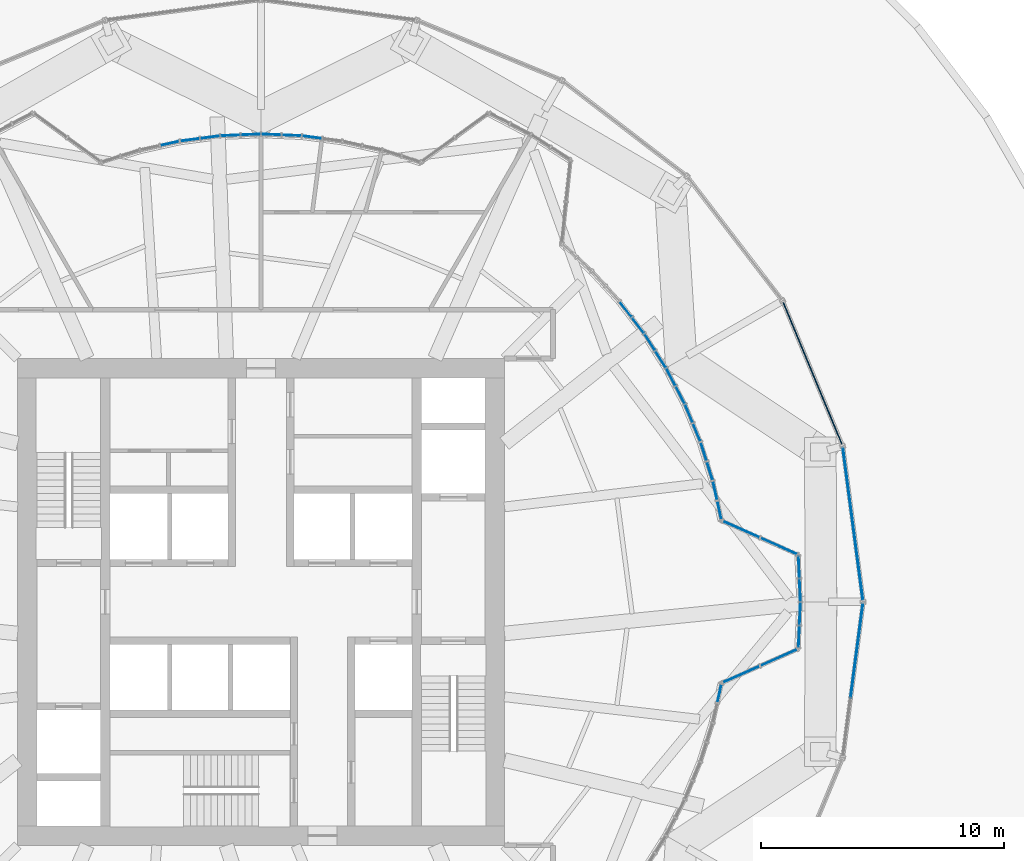
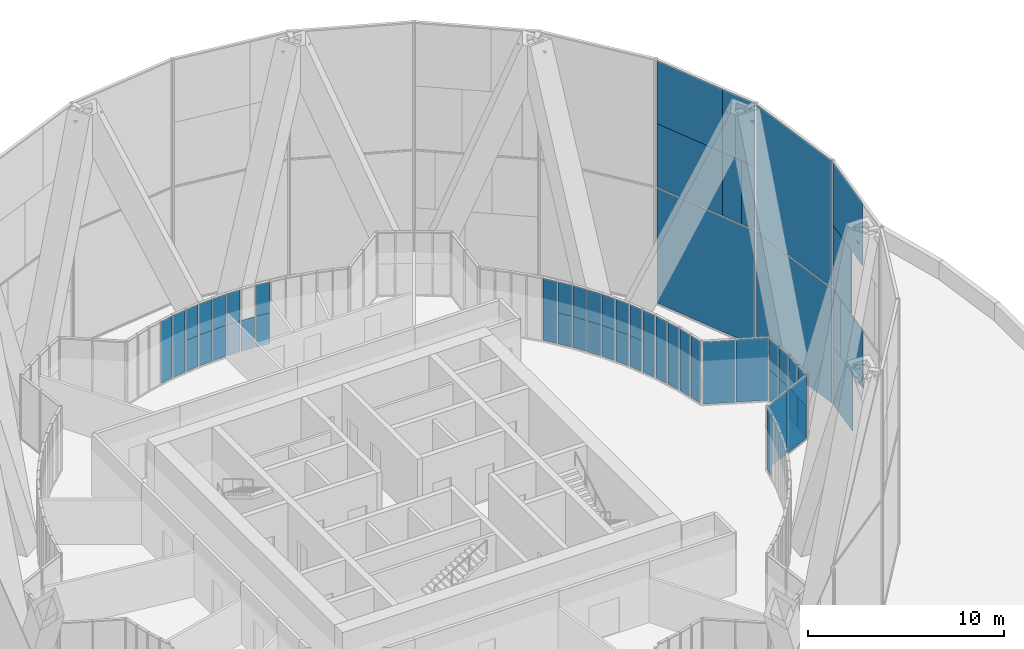
# One storey, part 21 of 27: 57 plates, 19 elements without a shape of their own.
"""IFC4 building model written with IfcOpenShell, lengths in metres."""

from ifc_helpers import new_model, si_unit, direction, frame, origin, origin_2d, place, context, subcontext, project, spatial, rectangle, extrude, material, layer, layer_set, type_object, element, aggregate, save


model = new_model("IFC4")

# Units and contexts
model_context = context("Model", 3, precision=1e-05, world=origin(), true_north=direction((0.0, 1.0)))
body_context = subcontext(model_context, "Body", "Model", "MODEL_VIEW")
ifc_project = project(units=[si_unit("LENGTHUNIT", "METRE"), si_unit("AREAUNIT", "SQUARE_METRE"), si_unit("VOLUMEUNIT", "CUBIC_METRE"), si_unit("PLANEANGLEUNIT", "RADIAN"), si_unit("MASSUNIT", "GRAM", prefix="KILO")], contexts=[model_context])

# Site, building, storey
site_placement = place(None, origin())
site = spatial("IfcSite", under=ifc_project, at=site_placement, CompositionType="ELEMENT")
building_placement = place(site_placement, origin())
building = spatial("IfcBuilding", under=site, at=building_placement, Name="Golbaran Civic Tower", CompositionType="ELEMENT")
storey_placement = place(building_placement, frame((0.0, 0.0, 21.0)))
storey = spatial("IfcBuildingStorey", under=building, at=storey_placement, Name="L04", CompositionType="ELEMENT", Elevation=21.0)

# Curtain wall, plates
ifc_material_1 = material(Name="Aluminium and glass", Category="aluminium")
curtain_wall_type_1 = type_object("IfcCurtainWallType", Name="INNER SKIN CURTAIN WALL", PredefinedType="NOTDEFINED", material=ifc_material_1)
curtain_wall_1_placement = place(storey_placement, origin())
curtain_wall_1 = element("IfcCurtainWall", 1, at=curtain_wall_1_placement, inside=storey, type_object=curtain_wall_type_1, Name="Inner skin L04 facet 2 CW1", ObjectType="INNER SKIN", PredefinedType="USERDEFINED")
ifc_material_2 = material(Name="Clear insulating glass", Category="glass")
ifc_layer_1 = layer(ifc_material_2, 0.031982421875, Name="Clear insulating glass")
ifc_layer_set_1 = layer_set([ifc_layer_1], Name="Clear insulating glass")
plate_type_1 = type_object("IfcPlateType", Name="INNER SKIN CURTAIN WALL GLAZED PANEL", PredefinedType="CURTAIN_PANEL", material=ifc_layer_set_1)
plate_1_placement = place(storey_placement, frame((21.272705078125, 2.289306640625, 0.06494140625), z_axis=(0.0, 0.0, 1.0), x_axis=(-0.91336737885, 0.407136379182, 0.0)))
plate_1 = element("IfcPlate", 2, at=plate_1_placement, type_object=plate_type_1, Name="CW1 panel 1.1", PredefinedType="CURTAIN_PANEL", context=body_context, shape_type="SweptSolid", body=[
    extrude(rectangle(XDim=1.62841796875, YDim=0.031982421875, at=origin_2d()), origin(), (0.0, 0.0, 1.0), 3.8701171875),
])
plate_2_placement = place(storey_placement, frame((19.72607421875, 2.978759765625, 0.06494140625), z_axis=(0.0, 0.0, 1.0), x_axis=(-0.91336737885, 0.407136379182, 0.0)))
plate_2 = element("IfcPlate", 3, at=plate_2_placement, type_object=plate_type_1, Name="CW1 panel 2.1", PredefinedType="CURTAIN_PANEL", context=body_context, shape_type="SweptSolid", body=[
    extrude(rectangle(XDim=1.62841796875, YDim=0.031982421875, at=origin_2d()), origin(), (0.0, 0.0, 1.0), 3.8701171875),
])
aggregate(curtain_wall_1, [plate_1, plate_2])

curtain_wall_2_placement = place(storey_placement, origin())
curtain_wall_2 = element("IfcCurtainWall", 4, at=curtain_wall_2_placement, inside=storey, type_object=curtain_wall_type_1, Name="Inner skin L04 facet 3 CW1", ObjectType="INNER SKIN", PredefinedType="USERDEFINED")
plate_3_placement = place(storey_placement, frame((18.828857421875, 3.76171875, 0.06494140625), z_axis=(0.0, 0.0, 1.0), x_axis=(-0.216439613921, 0.976296007124, 0.0)))
plate_3 = element("IfcPlate", 5, at=plate_3_placement, type_object=plate_type_1, Name="CW1 panel 1.1", PredefinedType="CURTAIN_PANEL", context=body_context, shape_type="SweptSolid", body=[
    extrude(rectangle(XDim=0.74072265625, YDim=0.031982421875, at=origin_2d()), origin(), (0.0, 0.0, 1.0), 3.8701171875),
])
plate_4_placement = place(storey_placement, frame((18.65087890625, 4.56396484375, 0.06494140625), z_axis=(0.0, 0.0, 1.0), x_axis=(-0.216439613921, 0.976296007124, 0.0)))
plate_4 = element("IfcPlate", 6, at=plate_4_placement, type_object=plate_type_1, Name="CW1 panel 2.1", PredefinedType="CURTAIN_PANEL", context=body_context, shape_type="SweptSolid", body=[
    extrude(rectangle(XDim=0.773193359375, YDim=0.031982421875, at=origin_2d()), origin(), (0.0, 0.0, 1.0), 3.8701171875),
])
aggregate(curtain_wall_2, [plate_3, plate_4])

curtain_wall_3_placement = place(storey_placement, origin())
curtain_wall_3 = element("IfcCurtainWall", 7, at=curtain_wall_3_placement, inside=storey, type_object=curtain_wall_type_1, Name="Inner skin L04 facet 4 CW1", ObjectType="INNER SKIN", PredefinedType="USERDEFINED")
plate_5_placement = place(storey_placement, frame((18.434326171875, 5.372802734375, 0.06494140625), z_axis=(0.0, 0.0, 1.0), x_axis=(-0.300705799704, 0.953716950685, 0.0)))
plate_5 = element("IfcPlate", 8, at=plate_5_placement, type_object=plate_type_1, Name="CW1 panel 1.1", PredefinedType="CURTAIN_PANEL", context=body_context, shape_type="SweptSolid", body=[
    extrude(rectangle(XDim=0.773193359375, YDim=0.031982421875, at=origin_2d()), origin(), (0.0, 0.0, 1.0), 3.8701171875),
])
plate_6_placement = place(storey_placement, frame((18.18212890625, 6.172119140625, 0.06494140625), z_axis=(0.0, 0.0, 1.0), x_axis=(-0.300705799704, 0.953716950685, 0.0)))
plate_6 = element("IfcPlate", 9, at=plate_6_placement, type_object=plate_type_1, Name="CW1 panel 2.1", PredefinedType="CURTAIN_PANEL", context=body_context, shape_type="SweptSolid", body=[
    extrude(rectangle(XDim=0.773193359375, YDim=0.031982421875, at=origin_2d()), origin(), (0.0, 0.0, 1.0), 3.8701171875),
])
aggregate(curtain_wall_3, [plate_5, plate_6])

# Curtain wall, plate
curtain_wall_4_placement = place(storey_placement, origin())
curtain_wall_4 = element("IfcCurtainWall", 10, at=curtain_wall_4_placement, inside=storey, type_object=curtain_wall_type_1, Name="Inner skin L04 facet 5 CW1", ObjectType="INNER SKIN", PredefinedType="USERDEFINED")
plate_7_placement = place(storey_placement, frame((17.895751953125, 6.958984375, 0.06494140625), z_axis=(0.0, 0.0, 1.0), x_axis=(-0.382683432188, 0.923879532585, 0.0)))
plate_7 = element("IfcPlate", 11, at=plate_7_placement, type_object=plate_type_1, Name="CW1 panel 1.1", PredefinedType="CURTAIN_PANEL", context=body_context, shape_type="SweptSolid", body=[
    extrude(rectangle(XDim=0.773193359375, YDim=0.031982421875, at=origin_2d()), origin(), (0.0, 0.0, 1.0), 3.8701171875),
])

curtain_wall_5_placement = place(storey_placement, origin())
curtain_wall_5 = element("IfcCurtainWall", 12, at=curtain_wall_5_placement, inside=storey, type_object=curtain_wall_type_1, Name="Inner skin L04 facet 8 CW1", ObjectType="INNER SKIN", PredefinedType="USERDEFINED")
plate_8_placement = place(storey_placement, frame((14.974609375, 12.018798828125, 0.06494140625), z_axis=(0.0, 0.0, 1.0), x_axis=(-0.608761428718, 0.793353340514, 0.0)))
plate_8 = element("IfcPlate", 13, at=plate_8_placement, type_object=plate_type_1, Name="CW1 panel 2.1", PredefinedType="CURTAIN_PANEL", context=body_context, shape_type="SweptSolid", body=[
    extrude(rectangle(XDim=0.773193359375, YDim=0.031982421875, at=origin_2d()), origin(), (0.0, 0.0, 1.0), 3.8701171875),
])

curtain_wall_6_placement = place(storey_placement, origin())
curtain_wall_6 = element("IfcCurtainWall", 14, at=curtain_wall_6_placement, inside=storey, type_object=curtain_wall_type_1, Name="Inner skin L04 facet 20 CW1", ObjectType="INNER SKIN", PredefinedType="USERDEFINED")
plate_9_placement = place(storey_placement, frame((-2.921142578125, 18.977783203125, 0.06494140625), z_axis=(0.0, 0.0, 1.0), x_axis=(-0.991444861351, -0.130526192393, 0.0)))
plate_9 = element("IfcPlate", 15, at=plate_9_placement, type_object=plate_type_1, Name="CW1 panel 2.1", PredefinedType="CURTAIN_PANEL", context=body_context, shape_type="SweptSolid", body=[
    extrude(rectangle(XDim=0.773193359375, YDim=0.031982421875, at=origin_2d()), origin(), (0.0, 0.0, 1.0), 3.8701171875),
])

curtain_wall_7_placement = place(storey_placement, origin())
curtain_wall_7 = element("IfcCurtainWall", 16, at=curtain_wall_7_placement, inside=storey, type_object=curtain_wall_type_1, Name="Inner skin L04 facet 21 CW1", ObjectType="INNER SKIN", PredefinedType="USERDEFINED")
plate_10_placement = place(storey_placement, frame((-3.745849609375, 18.832275390625, 0.06494140625), z_axis=(0.0, 0.0, 1.0), x_axis=(-0.976296007124, -0.216439613921, 0.0)))
plate_10 = element("IfcPlate", 17, at=plate_10_placement, type_object=plate_type_1, Name="CW1 panel 1.1", PredefinedType="CURTAIN_PANEL", context=body_context, shape_type="SweptSolid", body=[
    extrude(rectangle(XDim=0.773193359375, YDim=0.031982421875, at=origin_2d()), origin(), (0.0, 0.0, 1.0), 3.8701171875),
])
aggregate(curtain_wall_7, [plate_10])

curtain_wall_8_placement = place(storey_placement, origin())
curtain_wall_8 = element("IfcCurtainWall", 18, at=curtain_wall_8_placement, inside=storey, type_object=curtain_wall_type_1, Name="Inner skin L04 facet 70 CW1", ObjectType="INNER SKIN", PredefinedType="USERDEFINED")
plate_11_placement = place(storey_placement, frame((18.828857421875, -3.76171875, 0.06494140625), z_axis=(0.0, 0.0, 1.0), x_axis=(0.216439613921, 0.976296007124, 0.0)))
plate_11 = element("IfcPlate", 19, at=plate_11_placement, type_object=plate_type_1, Name="CW1 panel 2.1", PredefinedType="CURTAIN_PANEL", context=body_context, shape_type="SweptSolid", body=[
    extrude(rectangle(XDim=0.74072265625, YDim=0.031982421875, at=origin_2d()), origin(), (0.0, 0.0, 1.0), 3.8701171875),
])
aggregate(curtain_wall_8, [plate_11])

# Curtain wall, plates
curtain_wall_9_placement = place(storey_placement, origin())
curtain_wall_9 = element("IfcCurtainWall", 20, at=curtain_wall_9_placement, inside=storey, type_object=curtain_wall_type_1, Name="Inner skin L04 facet 71 CW1", ObjectType="INNER SKIN", PredefinedType="USERDEFINED")
plate_12_placement = place(storey_placement, frame((19.72607421875, -2.978759765625, 0.06494140625), z_axis=(0.0, 0.0, 1.0), x_axis=(0.91336737885, 0.407136379182, 0.0)))
plate_12 = element("IfcPlate", 21, at=plate_12_placement, type_object=plate_type_1, Name="CW1 panel 1.1", PredefinedType="CURTAIN_PANEL", context=body_context, shape_type="SweptSolid", body=[
    extrude(rectangle(XDim=1.62841796875, YDim=0.031982421875, at=origin_2d()), origin(), (0.0, 0.0, 1.0), 3.8701171875),
])
plate_13_placement = place(storey_placement, frame((21.272705078125, -2.289306640625, 0.06494140625), z_axis=(0.0, 0.0, 1.0), x_axis=(0.91336737885, 0.407136379182, 0.0)))
plate_13 = element("IfcPlate", 22, at=plate_13_placement, type_object=plate_type_1, Name="CW1 panel 2.1", PredefinedType="CURTAIN_PANEL", context=body_context, shape_type="SweptSolid", body=[
    extrude(rectangle(XDim=1.62841796875, YDim=0.031982421875, at=origin_2d()), origin(), (0.0, 0.0, 1.0), 3.8701171875),
])
aggregate(curtain_wall_9, [plate_12, plate_13])

curtain_wall_10_placement = place(storey_placement, origin())
curtain_wall_10 = element("IfcCurtainWall", 23, at=curtain_wall_10_placement, inside=storey, type_object=curtain_wall_type_1, Name="Inner skin L04 facet 1 CW1", ObjectType="INNER SKIN", PredefinedType="USERDEFINED")
ifc_material_3 = material(Name="Aluminium faced opaque infill panel", Category="aluminium")
ifc_layer_2 = layer(ifc_material_3, 0.031982421875, Name="Aluminium faced opaque infill panel")
ifc_layer_set_2 = layer_set([ifc_layer_2], Name="Aluminium faced opaque infill panel")
plate_type_2 = type_object("IfcPlateType", Name="INNER SKIN CURTAIN WALL OPAQUE INFILL PANEL", PredefinedType="CURTAIN_PANEL", material=ifc_layer_set_2)
plate_14_placement = place(storey_placement, frame((22.138916015625, 0.48291015625, 0.06494140625), z_axis=(0.0, 0.0, 1.0), x_axis=(-0.043619387226, 0.999048221588, 0.0)))
plate_14 = element("IfcPlate", 24, at=plate_14_placement, type_object=plate_type_2, Name="CW1 infill panel 1.1 part 1", PredefinedType="CURTAIN_PANEL", context=body_context, shape_type="SweptSolid", body=[
    extrude(rectangle(XDim=0.901611328125, YDim=0.031982421875, at=origin_2d()), origin(), (0.0, 0.0, 1.0), 1.93505859375),
])
plate_15_placement = place(storey_placement, frame((22.138916015625, 0.48291015625, 2.0), z_axis=(0.0, 0.0, 1.0), x_axis=(-0.043619387226, 0.999048221588, 0.0)))
plate_15 = element("IfcPlate", 25, at=plate_15_placement, type_object=plate_type_2, Name="CW1 infill panel 1.1 part 2", PredefinedType="CURTAIN_PANEL", context=body_context, shape_type="SweptSolid", body=[
    extrude(rectangle(XDim=0.901611328125, YDim=0.031982421875, at=origin_2d()), origin(), (0.0, 0.0, 1.0), 1.93505859375),
])
plate_16_placement = place(storey_placement, frame((22.097412109375, 1.432373046875, 0.06494140625), z_axis=(0.0, 0.0, 1.0), x_axis=(-0.043619387226, 0.999048221588, 0.0)))
plate_16 = element("IfcPlate", 26, at=plate_16_placement, type_object=plate_type_2, Name="CW1 infill panel 2.1 part 1", PredefinedType="CURTAIN_PANEL", context=body_context, shape_type="SweptSolid", body=[
    extrude(rectangle(XDim=0.869140625, YDim=0.031982421875, at=origin_2d()), origin(), (0.0, 0.0, 1.0), 1.93505859375),
])
plate_17_placement = place(storey_placement, frame((22.097412109375, 1.432373046875, 2.0), z_axis=(0.0, 0.0, 1.0), x_axis=(-0.043619387226, 0.999048221588, 0.0)))
plate_17 = element("IfcPlate", 27, at=plate_17_placement, type_object=plate_type_2, Name="CW1 infill panel 2.1 part 2", PredefinedType="CURTAIN_PANEL", context=body_context, shape_type="SweptSolid", body=[
    extrude(rectangle(XDim=0.869140625, YDim=0.031982421875, at=origin_2d()), origin(), (0.0, 0.0, 1.0), 1.93505859375),
])
aggregate(curtain_wall_10, [plate_14, plate_15, plate_16, plate_17])

# Plate
plate_18_placement = place(storey_placement, frame((17.5751953125, 7.7333984375, 0.06494140625), z_axis=(0.0, 0.0, 1.0), x_axis=(-0.382683432188, 0.923879532585, 0.0)))
plate_18 = element("IfcPlate", 28, at=plate_18_placement, type_object=plate_type_2, Name="CW1 infill panel 2.1 part 1", PredefinedType="CURTAIN_PANEL", context=body_context, shape_type="SweptSolid", body=[
    extrude(rectangle(XDim=0.773193359375, YDim=0.031982421875, at=origin_2d()), origin(), (0.0, 0.0, 1.0), 1.93505859375),
])

plate_19_placement = place(storey_placement, frame((17.5751953125, 7.7333984375, 2.0), z_axis=(0.0, 0.0, 1.0), x_axis=(-0.382683432188, 0.923879532585, 0.0)))
plate_19 = element("IfcPlate", 29, at=plate_19_placement, type_object=plate_type_2, Name="CW1 infill panel 2.1 part 2", PredefinedType="CURTAIN_PANEL", context=body_context, shape_type="SweptSolid", body=[
    extrude(rectangle(XDim=0.773193359375, YDim=0.031982421875, at=origin_2d()), origin(), (0.0, 0.0, 1.0), 1.93505859375),
])

aggregate(curtain_wall_4, [plate_7, plate_18, plate_19])

# Curtain wall, plates
curtain_wall_11_placement = place(storey_placement, origin())
curtain_wall_11 = element("IfcCurtainWall", 30, at=curtain_wall_11_placement, inside=storey, type_object=curtain_wall_type_1, Name="Inner skin L04 facet 6 CW1", ObjectType="INNER SKIN", PredefinedType="USERDEFINED")
plate_20_placement = place(storey_placement, frame((17.22119140625, 8.492431640625, 0.06494140625), z_axis=(0.0, 0.0, 1.0), x_axis=(-0.461748613065, 0.887010833267, 0.0)))
plate_20 = element("IfcPlate", 31, at=plate_20_placement, type_object=plate_type_2, Name="CW1 infill panel 1.1 part 1", PredefinedType="CURTAIN_PANEL", context=body_context, shape_type="SweptSolid", body=[
    extrude(rectangle(XDim=0.773193359375, YDim=0.031982421875, at=origin_2d()), origin(), (0.0, 0.0, 1.0), 1.93505859375),
])
plate_21_placement = place(storey_placement, frame((17.22119140625, 8.492431640625, 2.0), z_axis=(0.0, 0.0, 1.0), x_axis=(-0.461748613065, 0.887010833267, 0.0)))
plate_21 = element("IfcPlate", 32, at=plate_21_placement, type_object=plate_type_2, Name="CW1 infill panel 1.1 part 2", PredefinedType="CURTAIN_PANEL", context=body_context, shape_type="SweptSolid", body=[
    extrude(rectangle(XDim=0.773193359375, YDim=0.031982421875, at=origin_2d()), origin(), (0.0, 0.0, 1.0), 1.93505859375),
])
plate_22_placement = place(storey_placement, frame((16.834228515625, 9.23583984375, 0.06494140625), z_axis=(0.0, 0.0, 1.0), x_axis=(-0.461748613065, 0.887010833267, 0.0)))
plate_22 = element("IfcPlate", 33, at=plate_22_placement, type_object=plate_type_2, Name="CW1 infill panel 2.1 part 1", PredefinedType="CURTAIN_PANEL", context=body_context, shape_type="SweptSolid", body=[
    extrude(rectangle(XDim=0.773193359375, YDim=0.031982421875, at=origin_2d()), origin(), (0.0, 0.0, 1.0), 1.93505859375),
])
plate_23_placement = place(storey_placement, frame((16.834228515625, 9.23583984375, 2.0), z_axis=(0.0, 0.0, 1.0), x_axis=(-0.461748613065, 0.887010833267, 0.0)))
plate_23 = element("IfcPlate", 34, at=plate_23_placement, type_object=plate_type_2, Name="CW1 infill panel 2.1 part 2", PredefinedType="CURTAIN_PANEL", context=body_context, shape_type="SweptSolid", body=[
    extrude(rectangle(XDim=0.773193359375, YDim=0.031982421875, at=origin_2d()), origin(), (0.0, 0.0, 1.0), 1.93505859375),
])
aggregate(curtain_wall_11, [plate_20, plate_21, plate_22, plate_23])

curtain_wall_12_placement = place(storey_placement, origin())
curtain_wall_12 = element("IfcCurtainWall", 35, at=curtain_wall_12_placement, inside=storey, type_object=curtain_wall_type_1, Name="Inner skin L04 facet 7 CW1", ObjectType="INNER SKIN", PredefinedType="USERDEFINED")
plate_24_placement = place(storey_placement, frame((16.41552734375, 9.9609375, 0.06494140625), z_axis=(0.0, 0.0, 1.0), x_axis=(-0.537299608597, 0.843391445653, 0.0)))
plate_24 = element("IfcPlate", 36, at=plate_24_placement, type_object=plate_type_2, Name="CW1 infill panel 1.1 part 1", PredefinedType="CURTAIN_PANEL", context=body_context, shape_type="SweptSolid", body=[
    extrude(rectangle(XDim=0.773193359375, YDim=0.031982421875, at=origin_2d()), origin(), (0.0, 0.0, 1.0), 1.93505859375),
])
plate_25_placement = place(storey_placement, frame((16.41552734375, 9.9609375, 2.0), z_axis=(0.0, 0.0, 1.0), x_axis=(-0.537299608597, 0.843391445653, 0.0)))
plate_25 = element("IfcPlate", 37, at=plate_25_placement, type_object=plate_type_2, Name="CW1 infill panel 1.1 part 2", PredefinedType="CURTAIN_PANEL", context=body_context, shape_type="SweptSolid", body=[
    extrude(rectangle(XDim=0.773193359375, YDim=0.031982421875, at=origin_2d()), origin(), (0.0, 0.0, 1.0), 1.93505859375),
])
plate_26_placement = place(storey_placement, frame((15.965087890625, 10.667724609375, 0.06494140625), z_axis=(0.0, 0.0, 1.0), x_axis=(-0.537299608597, 0.843391445653, 0.0)))
plate_26 = element("IfcPlate", 38, at=plate_26_placement, type_object=plate_type_2, Name="CW1 infill panel 2.1 part 1", PredefinedType="CURTAIN_PANEL", context=body_context, shape_type="SweptSolid", body=[
    extrude(rectangle(XDim=0.773193359375, YDim=0.031982421875, at=origin_2d()), origin(), (0.0, 0.0, 1.0), 1.93505859375),
])
plate_27_placement = place(storey_placement, frame((15.965087890625, 10.667724609375, 2.0), z_axis=(0.0, 0.0, 1.0), x_axis=(-0.537299608597, 0.843391445653, 0.0)))
plate_27 = element("IfcPlate", 39, at=plate_27_placement, type_object=plate_type_2, Name="CW1 infill panel 2.1 part 2", PredefinedType="CURTAIN_PANEL", context=body_context, shape_type="SweptSolid", body=[
    extrude(rectangle(XDim=0.773193359375, YDim=0.031982421875, at=origin_2d()), origin(), (0.0, 0.0, 1.0), 1.93505859375),
])
aggregate(curtain_wall_12, [plate_24, plate_25, plate_26, plate_27])

# Plate
plate_28_placement = place(storey_placement, frame((15.48486328125, 11.353759765625, 0.06494140625), z_axis=(0.0, 0.0, 1.0), x_axis=(-0.608761428718, 0.793353340514, 0.0)))
plate_28 = element("IfcPlate", 40, at=plate_28_placement, type_object=plate_type_2, Name="CW1 infill panel 1.1 part 1", PredefinedType="CURTAIN_PANEL", context=body_context, shape_type="SweptSolid", body=[
    extrude(rectangle(XDim=0.773193359375, YDim=0.031982421875, at=origin_2d()), origin(), (0.0, 0.0, 1.0), 1.93505859375),
])

plate_29_placement = place(storey_placement, frame((15.48486328125, 11.353759765625, 2.0), z_axis=(0.0, 0.0, 1.0), x_axis=(-0.608761428718, 0.793353340514, 0.0)))
plate_29 = element("IfcPlate", 41, at=plate_29_placement, type_object=plate_type_2, Name="CW1 infill panel 1.1 part 2", PredefinedType="CURTAIN_PANEL", context=body_context, shape_type="SweptSolid", body=[
    extrude(rectangle(XDim=0.773193359375, YDim=0.031982421875, at=origin_2d()), origin(), (0.0, 0.0, 1.0), 1.93505859375),
])

aggregate(curtain_wall_5, [plate_28, plate_29, plate_8])

# Curtain wall, plates
curtain_wall_13_placement = place(storey_placement, origin())
curtain_wall_13 = element("IfcCurtainWall", 42, at=curtain_wall_13_placement, inside=storey, type_object=curtain_wall_type_1, Name="Inner skin L04 facet 17 CW1", ObjectType="INNER SKIN", PredefinedType="USERDEFINED")
plate_30_placement = place(storey_placement, frame((2.090087890625, 19.087158203125, 0.06494140625), z_axis=(0.0, 0.0, 1.0), x_axis=(-0.991444861351, 0.130526192393, 0.0)))
plate_30 = element("IfcPlate", 43, at=plate_30_placement, type_object=plate_type_2, Name="CW1 infill panel 2.1 part 1", PredefinedType="CURTAIN_PANEL", context=body_context, shape_type="SweptSolid", body=[
    extrude(rectangle(XDim=0.773193359375, YDim=0.031982421875, at=origin_2d()), origin(), (0.0, 0.0, 1.0), 1.93505859375),
])
plate_31_placement = place(storey_placement, frame((2.090087890625, 19.087158203125, 2.0), z_axis=(0.0, 0.0, 1.0), x_axis=(-0.991444861351, 0.130526192393, 0.0)))
plate_31 = element("IfcPlate", 44, at=plate_31_placement, type_object=plate_type_2, Name="CW1 infill panel 2.1 part 2", PredefinedType="CURTAIN_PANEL", context=body_context, shape_type="SweptSolid", body=[
    extrude(rectangle(XDim=0.773193359375, YDim=0.031982421875, at=origin_2d()), origin(), (0.0, 0.0, 1.0), 1.93505859375),
])
aggregate(curtain_wall_13, [plate_30, plate_31])

curtain_wall_14_placement = place(storey_placement, origin())
curtain_wall_14 = element("IfcCurtainWall", 45, at=curtain_wall_14_placement, inside=storey, type_object=curtain_wall_type_1, Name="Inner skin L04 facet 18 CW1", ObjectType="INNER SKIN", PredefinedType="USERDEFINED")
plate_32_placement = place(storey_placement, frame((1.256103515625, 19.16015625, 0.06494140625), z_axis=(0.0, 0.0, 1.0), x_axis=(-0.999048221586, 0.043619387261, 0.0)))
plate_32 = element("IfcPlate", 46, at=plate_32_placement, type_object=plate_type_2, Name="CW1 infill panel 1.1 part 1", PredefinedType="CURTAIN_PANEL", context=body_context, shape_type="SweptSolid", body=[
    extrude(rectangle(XDim=0.773193359375, YDim=0.031982421875, at=origin_2d()), origin(), (0.0, 0.0, 1.0), 1.93505859375),
])
plate_33_placement = place(storey_placement, frame((0.418701171875, 19.19677734375, 0.06494140625), z_axis=(0.0, 0.0, 1.0), x_axis=(-0.999048221586, 0.043619387261, 0.0)))
plate_33 = element("IfcPlate", 47, at=plate_33_placement, type_object=plate_type_2, Name="CW1 infill panel 2.1 part 1", PredefinedType="CURTAIN_PANEL", context=body_context, shape_type="SweptSolid", body=[
    extrude(rectangle(XDim=0.773193359375, YDim=0.031982421875, at=origin_2d()), origin(), (0.0, 0.0, 1.0), 1.93505859375),
])
plate_34_placement = place(storey_placement, frame((0.418701171875, 19.19677734375, 2.0), z_axis=(0.0, 0.0, 1.0), x_axis=(-0.999048221586, 0.043619387261, 0.0)))
plate_34 = element("IfcPlate", 48, at=plate_34_placement, type_object=plate_type_2, Name="CW1 infill panel 2.1 part 2", PredefinedType="CURTAIN_PANEL", context=body_context, shape_type="SweptSolid", body=[
    extrude(rectangle(XDim=0.773193359375, YDim=0.031982421875, at=origin_2d()), origin(), (0.0, 0.0, 1.0), 1.93505859375),
])
aggregate(curtain_wall_14, [plate_32, plate_33, plate_34])

curtain_wall_15_placement = place(storey_placement, origin())
curtain_wall_15 = element("IfcCurtainWall", 49, at=curtain_wall_15_placement, inside=storey, type_object=curtain_wall_type_1, Name="Inner skin L04 facet 19 CW1", ObjectType="INNER SKIN", PredefinedType="USERDEFINED")
plate_35_placement = place(storey_placement, frame((-0.418701171875, 19.19677734375, 0.06494140625), z_axis=(0.0, 0.0, 1.0), x_axis=(-0.999048221586, -0.043619387261, 0.0)))
plate_35 = element("IfcPlate", 50, at=plate_35_placement, type_object=plate_type_2, Name="CW1 infill panel 1.1 part 1", PredefinedType="CURTAIN_PANEL", context=body_context, shape_type="SweptSolid", body=[
    extrude(rectangle(XDim=0.773193359375, YDim=0.031982421875, at=origin_2d()), origin(), (0.0, 0.0, 1.0), 1.93505859375),
])
plate_36_placement = place(storey_placement, frame((-0.418701171875, 19.19677734375, 2.0), z_axis=(0.0, 0.0, 1.0), x_axis=(-0.999048221586, -0.043619387261, 0.0)))
plate_36 = element("IfcPlate", 51, at=plate_36_placement, type_object=plate_type_2, Name="CW1 infill panel 1.1 part 2", PredefinedType="CURTAIN_PANEL", context=body_context, shape_type="SweptSolid", body=[
    extrude(rectangle(XDim=0.773193359375, YDim=0.031982421875, at=origin_2d()), origin(), (0.0, 0.0, 1.0), 1.93505859375),
])
plate_37_placement = place(storey_placement, frame((-1.256103515625, 19.16015625, 0.06494140625), z_axis=(0.0, 0.0, 1.0), x_axis=(-0.999048221586, -0.043619387261, 0.0)))
plate_37 = element("IfcPlate", 52, at=plate_37_placement, type_object=plate_type_2, Name="CW1 infill panel 2.1 part 1", PredefinedType="CURTAIN_PANEL", context=body_context, shape_type="SweptSolid", body=[
    extrude(rectangle(XDim=0.773193359375, YDim=0.031982421875, at=origin_2d()), origin(), (0.0, 0.0, 1.0), 1.93505859375),
])
plate_38_placement = place(storey_placement, frame((-1.256103515625, 19.16015625, 2.0), z_axis=(0.0, 0.0, 1.0), x_axis=(-0.999048221586, -0.043619387261, 0.0)))
plate_38 = element("IfcPlate", 53, at=plate_38_placement, type_object=plate_type_2, Name="CW1 infill panel 2.1 part 2", PredefinedType="CURTAIN_PANEL", context=body_context, shape_type="SweptSolid", body=[
    extrude(rectangle(XDim=0.773193359375, YDim=0.031982421875, at=origin_2d()), origin(), (0.0, 0.0, 1.0), 1.93505859375),
])
aggregate(curtain_wall_15, [plate_35, plate_36, plate_37, plate_38])

# Plate
plate_39_placement = place(storey_placement, frame((-2.090087890625, 19.087158203125, 0.06494140625), z_axis=(0.0, 0.0, 1.0), x_axis=(-0.991444861351, -0.130526192393, 0.0)))
plate_39 = element("IfcPlate", 54, at=plate_39_placement, type_object=plate_type_2, Name="CW1 infill panel 1.1 part 1", PredefinedType="CURTAIN_PANEL", context=body_context, shape_type="SweptSolid", body=[
    extrude(rectangle(XDim=0.773193359375, YDim=0.031982421875, at=origin_2d()), origin(), (0.0, 0.0, 1.0), 1.93505859375),
])

plate_40_placement = place(storey_placement, frame((-2.090087890625, 19.087158203125, 2.0), z_axis=(0.0, 0.0, 1.0), x_axis=(-0.991444861351, -0.130526192393, 0.0)))
plate_40 = element("IfcPlate", 55, at=plate_40_placement, type_object=plate_type_2, Name="CW1 infill panel 1.1 part 2", PredefinedType="CURTAIN_PANEL", context=body_context, shape_type="SweptSolid", body=[
    extrude(rectangle(XDim=0.773193359375, YDim=0.031982421875, at=origin_2d()), origin(), (0.0, 0.0, 1.0), 1.93505859375),
])

aggregate(curtain_wall_6, [plate_39, plate_40, plate_9])

# Curtain wall, plates
curtain_wall_16_placement = place(storey_placement, origin())
curtain_wall_16 = element("IfcCurtainWall", 56, at=curtain_wall_16_placement, inside=storey, type_object=curtain_wall_type_1, Name="Inner skin L04 facet 72 CW1", ObjectType="INNER SKIN", PredefinedType="USERDEFINED")
plate_41_placement = place(storey_placement, frame((22.097412109375, -1.432373046875, 0.06494140625), z_axis=(0.0, 0.0, 1.0), x_axis=(0.043619387226, 0.999048221588, 0.0)))
plate_41 = element("IfcPlate", 57, at=plate_41_placement, type_object=plate_type_2, Name="CW1 infill panel 1.1 part 1", PredefinedType="CURTAIN_PANEL", context=body_context, shape_type="SweptSolid", body=[
    extrude(rectangle(XDim=0.869140625, YDim=0.031982421875, at=origin_2d()), origin(), (0.0, 0.0, 1.0), 1.93505859375),
])
plate_42_placement = place(storey_placement, frame((22.097412109375, -1.432373046875, 2.0), z_axis=(0.0, 0.0, 1.0), x_axis=(0.043619387226, 0.999048221588, 0.0)))
plate_42 = element("IfcPlate", 58, at=plate_42_placement, type_object=plate_type_2, Name="CW1 infill panel 1.1 part 2", PredefinedType="CURTAIN_PANEL", context=body_context, shape_type="SweptSolid", body=[
    extrude(rectangle(XDim=0.869140625, YDim=0.031982421875, at=origin_2d()), origin(), (0.0, 0.0, 1.0), 1.93505859375),
])
plate_43_placement = place(storey_placement, frame((22.138916015625, -0.48291015625, 0.06494140625), z_axis=(0.0, 0.0, 1.0), x_axis=(0.043619387226, 0.999048221588, 0.0)))
plate_43 = element("IfcPlate", 59, at=plate_43_placement, type_object=plate_type_2, Name="CW1 infill panel 2.1 part 1", PredefinedType="CURTAIN_PANEL", context=body_context, shape_type="SweptSolid", body=[
    extrude(rectangle(XDim=0.901611328125, YDim=0.031982421875, at=origin_2d()), origin(), (0.0, 0.0, 1.0), 1.93505859375),
])
plate_44_placement = place(storey_placement, frame((22.138916015625, -0.48291015625, 2.0), z_axis=(0.0, 0.0, 1.0), x_axis=(0.043619387226, 0.999048221588, 0.0)))
plate_44 = element("IfcPlate", 60, at=plate_44_placement, type_object=plate_type_2, Name="CW1 infill panel 2.1 part 2", PredefinedType="CURTAIN_PANEL", context=body_context, shape_type="SweptSolid", body=[
    extrude(rectangle(XDim=0.901611328125, YDim=0.031982421875, at=origin_2d()), origin(), (0.0, 0.0, 1.0), 1.93505859375),
])
aggregate(curtain_wall_16, [plate_41, plate_42, plate_43, plate_44])

curtain_wall_type_2 = type_object("IfcCurtainWallType", Name="OUTER SKIN TERRACOTTA SCREEN", PredefinedType="NOTDEFINED", material=ifc_material_1)
curtain_wall_17_placement = place(storey_placement, origin())
curtain_wall_17 = element("IfcCurtainWall", 61, at=curtain_wall_17_placement, inside=storey, type_object=curtain_wall_type_2, Name="Outer skin L04 facet 2 CW3", ObjectType="OUTER SKIN", PredefinedType="USERDEFINED")
ifc_material_4 = material(Name="Clear laminated glass", Category="glass")
ifc_layer_3 = layer(ifc_material_4, 0.0400390625, Name="Clear laminated glass")
ifc_layer_set_3 = layer_set([ifc_layer_3], Name="Clear laminated glass")
plate_type_3 = type_object("IfcPlateType", Name="OUTER SKIN CLEAR GLASS PANEL", PredefinedType="CURTAIN_PANEL", material=ifc_layer_set_3)
plate_45_placement = place(storey_placement, frame((22.65673828125, 9.384765625, 0.080078125), z_axis=(0.0, 0.0, 1.0), x_axis=(-0.382683432301, 0.923879532538, 0.0)))
plate_45 = element("IfcPlate", 62, at=plate_45_placement, type_object=plate_type_3, Name="CW3 panel 1.1", PredefinedType="CURTAIN_PANEL", context=body_context, shape_type="SweptSolid", body=[
    extrude(rectangle(XDim=6.297119140625, YDim=0.0400390625, at=origin_2d()), origin(), (0.0, 0.0, 1.0), 7.169921875),
])
plate_46_placement = place(storey_placement, frame((23.697509765625, 6.87158203125, 7.330078125), z_axis=(0.0, 0.0, 1.0), x_axis=(-0.382683432301, 0.923879532538, 0.0)))
plate_46 = element("IfcPlate", 63, at=plate_46_placement, type_object=plate_type_3, Name="CW3 panel 1.2 part 1", PredefinedType="CURTAIN_PANEL", context=body_context, shape_type="SweptSolid", body=[
    extrude(rectangle(XDim=0.85693359375, YDim=0.0400390625, at=origin_2d()), origin(), (0.0, 0.0, 1.0), 3.93994140625),
])
plate_47_placement = place(storey_placement, frame((22.258544921875, 10.345458984375, 7.330078125), z_axis=(0.0, 0.0, 1.0), x_axis=(-0.382683432301, 0.923879532538, 0.0)))
plate_47 = element("IfcPlate", 64, at=plate_47_placement, type_object=plate_type_3, Name="CW3 panel 1.2 part 3", PredefinedType="CURTAIN_PANEL", context=body_context, shape_type="SweptSolid", body=[
    extrude(rectangle(XDim=4.217041015625, YDim=0.0400390625, at=origin_2d()), origin(), (0.0, 0.0, 1.0), 3.93994140625),
])
plate_48_placement = place(storey_placement, frame((22.258544921875, 10.345458984375, 11.27001953125), z_axis=(0.0, 0.0, 1.0), x_axis=(-0.382683432301, 0.923879532538, 0.0)))
plate_48 = element("IfcPlate", 65, at=plate_48_placement, type_object=plate_type_3, Name="CW3 panel 1.2 part 5", PredefinedType="CURTAIN_PANEL", context=body_context, shape_type="SweptSolid", body=[
    extrude(rectangle(XDim=4.217041015625, YDim=0.0400390625, at=origin_2d()), origin(), (0.0, 0.0, 1.0), 3.93994140625),
])

curtain_wall_18_placement = place(storey_placement, origin())
curtain_wall_18 = element("IfcCurtainWall", 66, at=curtain_wall_18_placement, inside=storey, type_object=curtain_wall_type_2, Name="Outer skin L04 facet 24 CW3", ObjectType="OUTER SKIN", PredefinedType="USERDEFINED")
plate_49_placement = place(storey_placement, frame((24.6591796875, -0.57666015625, 3.6650390625), z_axis=(0.0, 0.0, 1.0), x_axis=(0.130526192255, 0.991444861369, 0.0)))
plate_49 = element("IfcPlate", 67, at=plate_49_placement, type_object=plate_type_3, Name="CW3 panel 1.1 part 5", PredefinedType="CURTAIN_PANEL", context=body_context, shape_type="SweptSolid", body=[
    extrude(rectangle(XDim=1.003173828125, YDim=0.0400390625, at=origin_2d()), origin(), (0.0, 0.0, 1.0), 3.5849609375),
])
plate_50_placement = place(storey_placement, frame((24.56787109375, -1.26953125, 7.330078125), z_axis=(0.0, 0.0, 1.0), x_axis=(0.130526192255, 0.991444861369, 0.0)))
plate_50 = element("IfcPlate", 68, at=plate_50_placement, type_object=plate_type_3, Name="CW3 panel 1.2 part 3", PredefinedType="CURTAIN_PANEL", context=body_context, shape_type="SweptSolid", body=[
    extrude(rectangle(XDim=2.401123046875, YDim=0.0400390625, at=origin_2d()), origin(), (0.0, 0.0, 1.0), 3.93994140625),
])
plate_51_placement = place(storey_placement, frame((24.4697265625, -2.01513671875, 11.27001953125), z_axis=(0.0, 0.0, 1.0), x_axis=(0.130526192255, 0.991444861369, 0.0)))
plate_51 = element("IfcPlate", 69, at=plate_51_placement, type_object=plate_type_3, Name="CW3 panel 1.2 part 5", PredefinedType="CURTAIN_PANEL", context=body_context, shape_type="SweptSolid", body=[
    extrude(rectangle(XDim=3.905029296875, YDim=0.0400390625, at=origin_2d()), origin(), (0.0, 0.0, 1.0), 3.93994140625),
])

# Plate
ifc_material_5 = material(Name="Terracotta baguette screen", Category="masonry")
ifc_layer_4 = layer(ifc_material_5, 0.0400390625, Name="Terracotta baguette screen")
ifc_layer_set_4 = layer_set([ifc_layer_4], Name="Terracotta baguette screen")
plate_type_4 = type_object("IfcPlateType", Name="OUTER SKIN TERRACOTTA INFILL PANEL", PredefinedType="CURTAIN_PANEL", material=ifc_layer_set_4)
plate_52_placement = place(storey_placement, frame((23.299560546875, 7.83251953125, 7.330078125), z_axis=(0.0, 0.0, 1.0), x_axis=(-0.382683432301, 0.923879532538, 0.0)))
plate_52 = element("IfcPlate", 70, at=plate_52_placement, type_object=plate_type_4, Name="CW3 infill panel 1.2 part 2", PredefinedType="CURTAIN_PANEL", context=body_context, shape_type="SweptSolid", body=[
    extrude(rectangle(XDim=1.222900390625, YDim=0.0400390625, at=origin_2d()), origin(), (0.0, 0.0, 1.0), 3.93994140625),
])

plate_53_placement = place(storey_placement, frame((23.463623046875, 7.4365234375, 11.27001953125), z_axis=(0.0, 0.0, 1.0), x_axis=(-0.382683432301, 0.923879532538, 0.0)))
plate_53 = element("IfcPlate", 71, at=plate_53_placement, type_object=plate_type_4, Name="CW3 infill panel 1.2 part 4", PredefinedType="CURTAIN_PANEL", context=body_context, shape_type="SweptSolid", body=[
    extrude(rectangle(XDim=2.080078125, YDim=0.0400390625, at=origin_2d()), origin(), (0.0, 0.0, 1.0), 3.93994140625),
])

aggregate(curtain_wall_17, [plate_45, plate_46, plate_52, plate_47, plate_53, plate_48])

plate_54_placement = place(storey_placement, frame((24.5576171875, -1.347412109375, 0.080078125), z_axis=(0.0, 0.0, 1.0), x_axis=(0.130526192255, 0.991444861369, 0.0)))
plate_54 = element("IfcPlate", 72, at=plate_54_placement, type_object=plate_type_4, Name="CW3 infill panel 1.1 part 2", PredefinedType="CURTAIN_PANEL", context=body_context, shape_type="SweptSolid", body=[
    extrude(rectangle(XDim=2.55810546875, YDim=0.0400390625, at=origin_2d()), origin(), (0.0, 0.0, 1.0), 3.5849609375),
])

plate_55_placement = place(storey_placement, frame((24.4013671875, -2.53369140625, 3.6650390625), z_axis=(0.0, 0.0, 1.0), x_axis=(0.130526192255, 0.991444861369, 0.0)))
plate_55 = element("IfcPlate", 73, at=plate_55_placement, type_object=plate_type_4, Name="CW3 infill panel 1.1 part 4", PredefinedType="CURTAIN_PANEL", context=body_context, shape_type="SweptSolid", body=[
    extrude(rectangle(XDim=2.945068359375, YDim=0.0400390625, at=origin_2d()), origin(), (0.0, 0.0, 1.0), 3.5849609375),
])

aggregate(curtain_wall_18, [plate_54, plate_55, plate_49, plate_50, plate_51])

# Curtain wall, plates
curtain_wall_19_placement = place(storey_placement, origin())
curtain_wall_19 = element("IfcCurtainWall", 74, at=curtain_wall_19_placement, inside=storey, type_object=curtain_wall_type_2, Name="Outer skin L04 facet 1 CW3", ObjectType="OUTER SKIN", PredefinedType="USERDEFINED")
ifc_layer_5 = layer(ifc_material_5, 0.0400390625, Name="Terracotta baguette screen")
ifc_layer_set_5 = layer_set([ifc_layer_5], Name="Terracotta baguette screen")
plate_type_5 = type_object("IfcPlateType", Name="OUTER SKIN TERRACOTTA SCREEN PANEL", PredefinedType="CURTAIN_PANEL", material=ifc_layer_set_5)
plate_56_placement = place(storey_placement, frame((24.3134765625, 3.200927734375, 0.080078125), z_axis=(0.0, 0.0, 1.0), x_axis=(-0.130526192255, 0.991444861369, 0.0)))
plate_56 = element("IfcPlate", 75, at=plate_56_placement, type_object=plate_type_5, Name="CW3 terracotta screen panel 1.1", PredefinedType="CURTAIN_PANEL", context=body_context, shape_type="SweptSolid", body=[
    extrude(rectangle(XDim=6.297119140625, YDim=0.0400390625, at=origin_2d()), origin(), (0.0, 0.0, 1.0), 7.169921875),
])
plate_57_placement = place(storey_placement, frame((24.3134765625, 3.200927734375, 7.330078125), z_axis=(0.0, 0.0, 1.0), x_axis=(-0.130526192255, 0.991444861369, 0.0)))
plate_57 = element("IfcPlate", 76, at=plate_57_placement, type_object=plate_type_5, Name="CW3 terracotta screen panel 1.2", PredefinedType="CURTAIN_PANEL", context=body_context, shape_type="SweptSolid", body=[
    extrude(rectangle(XDim=6.297119140625, YDim=0.0400390625, at=origin_2d()), origin(), (0.0, 0.0, 1.0), 7.8798828125),
])
aggregate(curtain_wall_19, [plate_56, plate_57])

save(model, "model.ifc")
